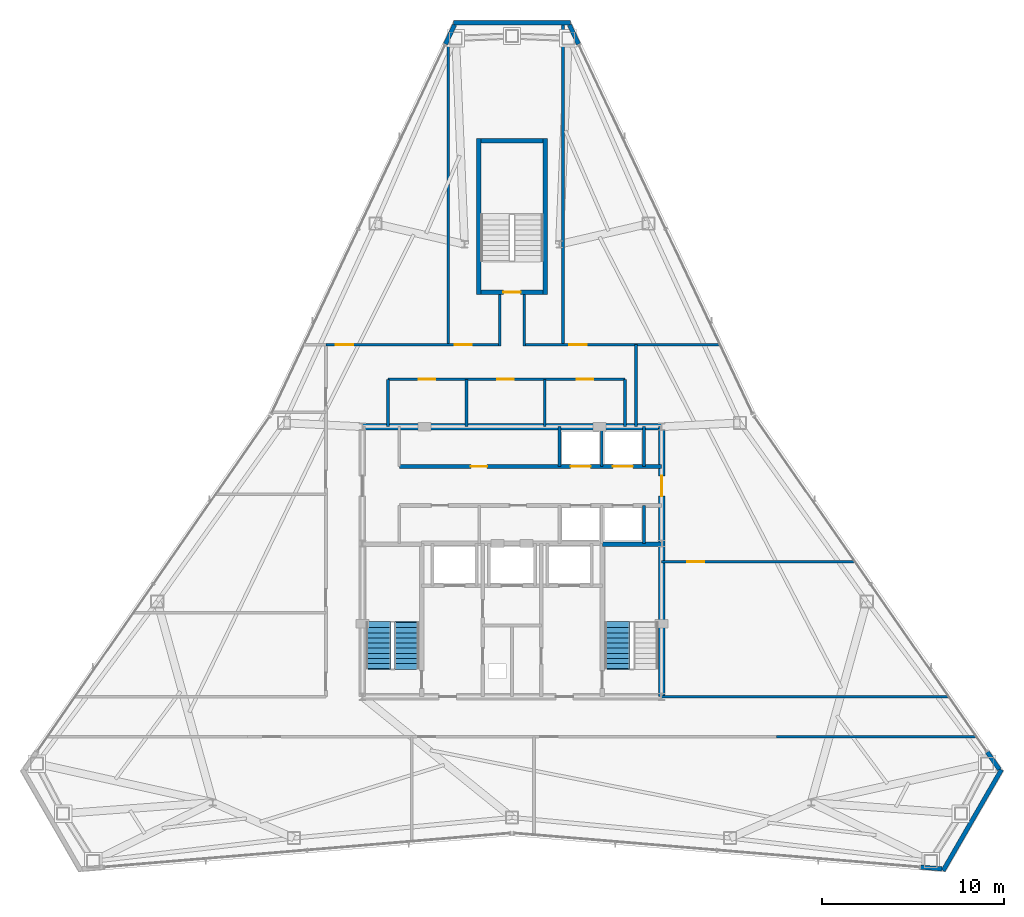
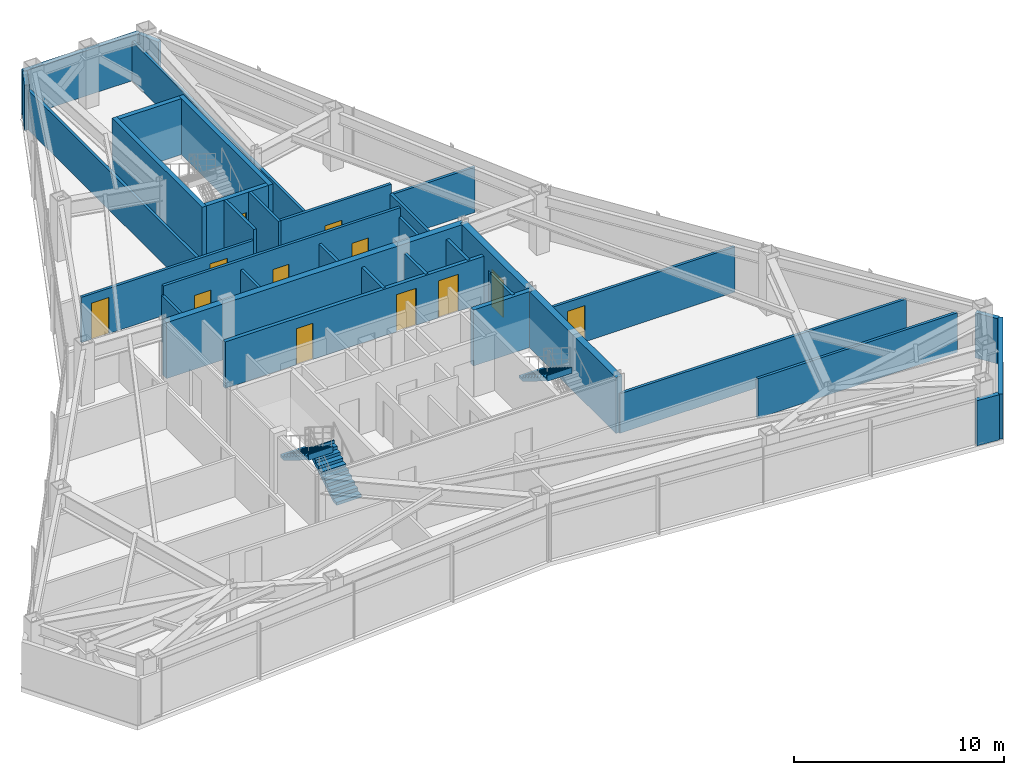
# One storey, part 10 of 12: 34 walls, 12 doors, 3 stair flights, 12 openings, 2 elements without a shape of their own.
"""IFC4 building model written with IfcOpenShell, lengths in metres."""

from ifc_helpers import new_model, si_unit, direction, frame, frame_2d, origin, place, context, subcontext, project, spatial, polyline, rectangle, outline, extrude, material, layer, layer_set, type_object, element, fill, aggregate, save


model = new_model("IFC4")

# Units and contexts
model_context = context("Model", 3, precision=1e-05, world=origin(), true_north=direction((0.0, 1.0)))
body_context = subcontext(model_context, "Body", "Model", "MODEL_VIEW")
ifc_project = project(units=[si_unit("LENGTHUNIT", "METRE"), si_unit("AREAUNIT", "SQUARE_METRE"), si_unit("VOLUMEUNIT", "CUBIC_METRE"), si_unit("PLANEANGLEUNIT", "RADIAN"), si_unit("MASSUNIT", "GRAM", prefix="KILO")], contexts=[model_context])

# Site, building, storey
site_placement = place(None, origin())
site = spatial("IfcSite", under=ifc_project, at=site_placement, CompositionType="ELEMENT")
building_placement = place(site_placement, origin())
building = spatial("IfcBuilding", under=site, at=building_placement, Name="Varakhsha Concourse Tower", CompositionType="ELEMENT")
storey_placement = place(building_placement, frame((0.0, 0.0, 225.89990234375)))
storey = spatial("IfcBuildingStorey", under=building, at=storey_placement, Name="L64", CompositionType="ELEMENT", Elevation=225.89990234375)

# Wall
ifc_material_1 = material(Name="Concrete fc 65 MPa", Category="concrete")
ifc_layer_1 = layer(ifc_material_1, 0.35009765625, Name="WL-CORE-350")
ifc_layer_set_1 = layer_set([ifc_layer_1], Name="Concrete fc 65 MPa")
wall_type_1 = type_object("IfcWallType", Name="WL-CORE-350", PredefinedType="SHEAR", material=ifc_layer_set_1)
wall_1_placement = place(storey_placement, frame((31.800048828125, 31.199951171875, 0.0), z_axis=(0.0, 0.0, 1.0), x_axis=(1.0, 0.0, 0.0)))
element("IfcWall", 1, at=wall_1_placement, inside=storey, type_object=wall_type_1, Name="L64 Wall CWALL-N-L64", PredefinedType="SHEAR", context=body_context, shape_type="SweptSolid", body=[
    extrude(rectangle(XDim=16.39990234375, YDim=0.35009765625, at=frame_2d((8.199951171875, 0.0))), origin(), (0.0, 0.0, 1.0), 3.25),
])

# Wall, opening, door
wall_2_placement = place(storey_placement, frame((48.199951171875, 16.39990234375, 0.0), z_axis=(0.0, 0.0, 1.0), x_axis=(0.0, 1.0, 0.0)))
wall_2 = element("IfcWall", 2, at=wall_2_placement, inside=storey, type_object=wall_type_1, Name="L64 Wall CWALL-E-L64", PredefinedType="SHEAR", context=body_context, shape_type="SweptSolid", body=[
    extrude(rectangle(XDim=14.800048828125, YDim=0.35009765625, at=frame_2d((7.39990234375, 0.0))), origin(), (0.0, 0.0, 1.0), 3.25),
])
opening_1_placement = place(wall_2_placement, frame((11.0, 0.0, 0.0)))
opening_1 = element("IfcOpeningElement", 3, at=opening_1_placement, cuts=wall_2, Name="Opening DL-01", PredefinedType="OPENING", context=body_context, shape_type="SweptSolid", body=[
    extrude(rectangle(XDim=1.10009765625, YDim=2.14990234375, at=frame_2d((0.550048828125, 1.074951171875))), frame((0.0, 0.18505859375, 0.0), z_axis=(0.0, -1.0, 0.0), x_axis=(1.0, 0.0, 0.0)), (0.0, 0.0, 1.0), 0.3701171875),
])
ifc_material_2 = material(Name="Anodised Bronze Architectural Aluminium AA 6063-T6", Category="aluminium")
door_type_1 = type_object("IfcDoorType", Name="DR-LOB-1100", OperationType="NOTDEFINED", PredefinedType="DOOR", material=ifc_material_2)
door_1_placement = place(opening_1_placement, origin())
door_1 = element("IfcDoor", 4, at=door_1_placement, inside=storey, type_object=door_type_1, Name="L64 Lift Lobby East Concourse Door", OperationType="SINGLE_SWING_RIGHT", OverallHeight=2.14990234375, OverallWidth=1.10009765625, PredefinedType="DOOR", context=body_context, shape_type="SweptSolid", body=[
    extrude(rectangle(XDim=1.10009765625, YDim=2.14990234375, at=frame_2d((0.550048828125, 1.074951171875))), frame((0.0, 0.02490234375, 0.0), z_axis=(0.0, -1.0, 0.0), x_axis=(1.0, 0.0, 0.0)), (0.0, 0.0, 1.0), 0.050048828125),
])
fill(opening_1, door_1)

# Walls
ifc_material_3 = material(Name="Concrete fc 45 MPa", Category="concrete")
ifc_layer_2 = layer(ifc_material_3, 0.239990234375, Name="WL-EXT-CRN-240")
ifc_layer_set_2 = layer_set([ifc_layer_2], Name="Concrete fc 45 MPa")
wall_type_2 = type_object("IfcWallType", Name="WL-EXT-CRN-240", PredefinedType="SHEAR", material=ifc_layer_set_2)
wall_3_placement = place(storey_placement, frame((36.800048828125, 53.33740234375, 0.0), z_axis=(0.0, 0.0, 1.0), x_axis=(1.0, 0.0, 0.0)))
element("IfcWall", 5, at=wall_3_placement, inside=storey, type_object=wall_type_2, Name="L64 Chamfer Wind-Corner Insulated Wall F1", PredefinedType="SHEAR", context=body_context, shape_type="SweptSolid", body=[
    extrude(rectangle(XDim=6.39990234375, YDim=0.239990234375, at=frame_2d((3.199951171875, 0.0))), origin(), (0.0, 0.0, 1.0), 2.623046875),
])
for number, where, z_axis, x_axis, name in (
    (6, (36.85107421875, 53.230224609375, 0.0), (0.0, 0.0, 1.0), (-0.426179687599, -0.904638532165, 0.0), "L64 Wind-Corner Shoulder Wall F2"),
    (7, (62.403076171875, 7.054931640625, 0.0), (0.0, 0.0, 1.0), (0.99652987462, -0.083235863609, 0.0), "L64 Wind-Corner Shoulder Wall F6"),
):
    element("IfcWall", number, at=place(storey_placement, frame(where, z_axis=z_axis, x_axis=x_axis)), inside=storey, type_object=wall_type_2, Name=name, PredefinedType="SHEAR", context=body_context, shape_type="SweptSolid", body=[
        extrude(rectangle(XDim=1.16748046875, YDim=0.239990234375, at=frame_2d((0.583740234375, 0.0))), origin(), (0.0, 0.0, 1.0), 2.623046875),
    ])
wall_4_placement = place(storey_placement, frame((66.833740234375, 12.402587890625, 0.0), z_axis=(0.0, 0.0, 1.0), x_axis=(-0.499999833739, -0.866025499775, 0.0)))
element("IfcWall", 8, at=wall_4_placement, inside=storey, type_object=wall_type_2, Name="L64 Chamfer Wind-Corner Insulated Wall F7", PredefinedType="SHEAR", context=body_context, shape_type="SweptSolid", body=[
    extrude(rectangle(XDim=6.39990234375, YDim=0.239990234375, at=frame_2d((3.199951171875, 0.0))), origin(), (0.0, 0.0, 1.0), 2.623046875),
])
for number, where, z_axis, x_axis, name in (
    (9, (66.71533203125, 12.412109375, 0.0), (0.0, 0.0, 1.0), (-0.57028607051, 0.821446162437, 0.0), "L64 Wind-Corner Shoulder Wall F8"),
    (10, (43.646484375, 52.174072265625, 0.0), (0.0, 0.0, 1.0), (-0.426179687599, 0.904638532165, 0.0), "L64 Wind-Corner Shoulder Wall F9"),
):
    element("IfcWall", number, at=place(storey_placement, frame(where, z_axis=z_axis, x_axis=x_axis)), inside=storey, type_object=wall_type_2, Name=name, PredefinedType="SHEAR", context=body_context, shape_type="SweptSolid", body=[
        extrude(rectangle(XDim=1.16748046875, YDim=0.239990234375, at=frame_2d((0.583740234375, 0.0))), origin(), (0.0, 0.0, 1.0), 2.623046875),
    ])

# Wall, openings, doors
ifc_material_4 = material(Name="Fire-Rated Type X Gypsum Partition Assembly", Category="gypsum")
ifc_layer_3 = layer(ifc_material_4, 0.14990234375, Name="WL-PART-150")
ifc_layer_set_3 = layer_set([ifc_layer_3], Name="Fire-Rated Type X Gypsum Partition Assembly")
wall_type_3 = type_object("IfcWallType", Name="WL-PART-150", PredefinedType="PARTITIONING", material=ifc_layer_set_3)
wall_5_placement = place(storey_placement, frame((33.199951171875, 33.800048828125, 0.0), z_axis=(0.0, 0.0, 1.0), x_axis=(1.0, 0.0, 0.0)))
wall_5 = element("IfcWall", 11, at=wall_5_placement, inside=storey, type_object=wall_type_3, Name="L64 Wall NBOH-N-L64", PredefinedType="PARTITIONING", context=body_context, shape_type="SweptSolid", body=[
    extrude(rectangle(XDim=13.0, YDim=0.14990234375, at=frame_2d((6.5, 0.0))), origin(), (0.0, 0.0, 1.0), 3.25),
])
opening_2_placement = place(wall_5_placement, frame((1.699951171875, 0.0, 0.0)))
opening_2 = element("IfcOpeningElement", 12, at=opening_2_placement, cuts=wall_5, Name="Opening DF-06", PredefinedType="OPENING", context=body_context, shape_type="SweptSolid", body=[
    extrude(rectangle(XDim=0.89990234375, YDim=2.10009765625, at=frame_2d((0.449951171875, 1.050048828125))), frame((0.0, 0.0849609375, 0.0), z_axis=(0.0, -1.0, 0.0), x_axis=(1.0, 0.0, 0.0)), (0.0, 0.0, 1.0), 0.169921875),
])
opening_3_placement = place(wall_5_placement, frame((6.0, 0.0, 0.0)))
opening_3 = element("IfcOpeningElement", 13, at=opening_3_placement, cuts=wall_5, Name="Opening DF-06", PredefinedType="OPENING", context=body_context, shape_type="SweptSolid", body=[
    extrude(rectangle(XDim=0.89990234375, YDim=2.10009765625, at=frame_2d((0.449951171875, 1.050048828125))), frame((0.0, 0.0849609375, 0.0), z_axis=(0.0, -1.0, 0.0), x_axis=(1.0, 0.0, 0.0)), (0.0, 0.0, 1.0), 0.169921875),
])
opening_4_placement = place(wall_5_placement, frame((10.35009765625, 0.0, 0.0)))
opening_4 = element("IfcOpeningElement", 14, at=opening_4_placement, cuts=wall_5, Name="Opening DF-06", PredefinedType="OPENING", context=body_context, shape_type="SweptSolid", body=[
    extrude(rectangle(XDim=0.89990234375, YDim=2.10009765625, at=frame_2d((0.449951171875, 1.050048828125))), frame((0.0, 0.0849609375, 0.0), z_axis=(0.0, -1.0, 0.0), x_axis=(1.0, 0.0, 0.0)), (0.0, 0.0, 1.0), 0.169921875),
])
ifc_material_5 = material(Name="Hollow Galvanised Steel Fire Door Assembly", Category="steel")
door_type_2 = type_object("IfcDoorType", Name="DR-FD60-900", OperationType="NOTDEFINED", PredefinedType="DOOR", material=ifc_material_5)
door_2_placement = place(opening_2_placement, origin())
door_2 = element("IfcDoor", 15, at=door_2_placement, inside=storey, type_object=door_type_2, Name="L64 Men Restroom WC Door", OperationType="SINGLE_SWING_LEFT", OverallHeight=2.10009765625, OverallWidth=0.89990234375, PredefinedType="DOOR", context=body_context, shape_type="SweptSolid", body=[
    extrude(rectangle(XDim=0.89990234375, YDim=2.10009765625, at=frame_2d((0.449951171875, 1.050048828125))), frame((0.0, 0.02490234375, 0.0), z_axis=(0.0, -1.0, 0.0), x_axis=(1.0, 0.0, 0.0)), (0.0, 0.0, 1.0), 0.050048828125),
])
fill(opening_2, door_2)
door_3_placement = place(opening_3_placement, origin())
door_3 = element("IfcDoor", 16, at=door_3_placement, inside=storey, type_object=door_type_2, Name="L64 Women Restroom WC Door", OperationType="SINGLE_SWING_RIGHT", OverallHeight=2.10009765625, OverallWidth=0.89990234375, PredefinedType="DOOR", context=body_context, shape_type="SweptSolid", body=[
    extrude(rectangle(XDim=0.89990234375, YDim=2.10009765625, at=frame_2d((0.449951171875, 1.050048828125))), frame((0.0, 0.02490234375, 0.0), z_axis=(0.0, -1.0, 0.0), x_axis=(1.0, 0.0, 0.0)), (0.0, 0.0, 1.0), 0.050048828125),
])
fill(opening_3, door_3)
door_4_placement = place(opening_4_placement, origin())
door_4 = element("IfcDoor", 17, at=door_4_placement, inside=storey, type_object=door_type_2, Name="L64 Accessible WC Door", OperationType="SINGLE_SWING_LEFT", OverallHeight=2.10009765625, OverallWidth=0.89990234375, PredefinedType="DOOR", context=body_context, shape_type="SweptSolid", body=[
    extrude(rectangle(XDim=0.89990234375, YDim=2.10009765625, at=frame_2d((0.449951171875, 1.050048828125))), frame((0.0, 0.02490234375, 0.0), z_axis=(0.0, -1.0, 0.0), x_axis=(1.0, 0.0, 0.0)), (0.0, 0.0, 1.0), 0.050048828125),
])
fill(opening_4, door_4)

# Walls
for number, where, z_axis, x_axis, name in (
    (18, (33.199951171875, 31.199951171875, 0.0), (0.0, 0.0, 1.0), (0.0, 1.0, 0.0), "L64 Wall NBOH-W-L64"),
    (19, (46.199951171875, 31.199951171875, 0.0), (0.0, 0.0, 1.0), (0.0, 1.0, 0.0), "L64 Wall NBOH-E-L64"),
    (20, (37.5, 31.199951171875, 0.0), (0.0, 0.0, 1.0), (0.0, 1.0, 0.0), "L64 Wall NBOH-D1-L64"),
    (21, (41.800048828125, 31.199951171875, 0.0), (0.0, 0.0, 1.0), (0.0, 1.0, 0.0), "L64 Wall NBOH-D2-L64"),
):
    element("IfcWall", number, at=place(storey_placement, frame(where, z_axis=z_axis, x_axis=x_axis)), inside=storey, type_object=wall_type_3, Name=name, PredefinedType="PARTITIONING", context=body_context, shape_type="SweptSolid", body=[
        extrude(rectangle(XDim=2.60009765625, YDim=0.14990234375, at=frame_2d((1.300048828125, 0.0))), origin(), (0.0, 0.0, 1.0), 2.705078125),
    ])
wall_6_placement = place(storey_placement, frame((54.5, 14.199951171875, 0.0), z_axis=(0.0, 0.0, 1.0), x_axis=(1.0, 0.0, 0.0)))
element("IfcWall", 22, at=wall_6_placement, inside=storey, type_object=wall_type_3, Name="L64 Wall CRW-SGAL-SE-L64", PredefinedType="PARTITIONING", context=body_context, shape_type="SweptSolid", body=[
    extrude(rectangle(XDim=10.9677734375, YDim=0.14990234375, at=frame_2d((5.48388671875, 0.0))), origin(), (0.0, 0.0, 1.0), 2.2919921875),
])
wall_7_placement = place(storey_placement, frame((48.199951171875, 16.39990234375, 0.0), z_axis=(0.0, 0.0, 1.0), x_axis=(1.0, 0.0, 0.0)))
element("IfcWall", 23, at=wall_7_placement, inside=storey, type_object=wall_type_3, Name="L64 Wall CRW-SGAL-NE-L64", PredefinedType="PARTITIONING", context=body_context, shape_type="SweptSolid", body=[
    extrude(rectangle(XDim=15.740234375, YDim=0.14990234375, at=frame_2d((7.8701171875, 0.0))), origin(), (0.0, 0.0, 1.0), 2.2919921875),
])

# Wall, openings, doors
wall_8_placement = place(storey_placement, frame((29.800048828125, 35.699951171875, 0.0), z_axis=(0.0, 0.0, 1.0), x_axis=(1.0, 0.0, 0.0)))
wall_8 = element("IfcWall", 24, at=wall_8_placement, inside=storey, type_object=wall_type_3, Name="L64 Wall CRW-N-L64", PredefinedType="PARTITIONING", context=body_context, shape_type="SweptSolid", body=[
    extrude(rectangle(XDim=9.449951171875, YDim=0.14990234375, at=frame_2d((4.72509765625, 0.0))), origin(), (0.0, 0.0, 1.0), 2.628173828125),
])
opening_5_placement = place(wall_8_placement, frame((0.550048828125, 0.0, 0.0)))
opening_5 = element("IfcOpeningElement", 25, at=opening_5_placement, cuts=wall_8, Name="Opening DF-05", PredefinedType="OPENING", context=body_context, shape_type="SweptSolid", body=[
    extrude(rectangle(XDim=0.949951171875, YDim=2.10009765625, at=frame_2d((0.47509765625, 1.050048828125))), frame((0.0, 0.0849609375, 0.0), z_axis=(0.0, -1.0, 0.0), x_axis=(1.0, 0.0, 0.0)), (0.0, 0.0, 1.0), 0.169921875),
])
opening_6_placement = place(wall_8_placement, frame((7.050048828125, 0.0, 0.0)))
opening_6 = element("IfcOpeningElement", 26, at=opening_6_placement, cuts=wall_8, Name="Opening DF-05", PredefinedType="OPENING", context=body_context, shape_type="SweptSolid", body=[
    extrude(rectangle(XDim=0.949951171875, YDim=2.10009765625, at=frame_2d((0.47509765625, 1.050048828125))), frame((0.0, 0.0849609375, 0.0), z_axis=(0.0, -1.0, 0.0), x_axis=(1.0, 0.0, 0.0)), (0.0, 0.0, 1.0), 0.169921875),
])
door_type_3 = type_object("IfcDoorType", Name="DR-FD60-950", OperationType="NOTDEFINED", PredefinedType="DOOR", material=ifc_material_5)
door_5_placement = place(opening_5_placement, origin())
door_5 = element("IfcDoor", 27, at=door_5_placement, inside=storey, type_object=door_type_3, Name="L64 Mountain View Project Pitch Room L64-N1 Door", OperationType="SINGLE_SWING_RIGHT", OverallHeight=2.10009765625, OverallWidth=0.949951171875, PredefinedType="DOOR", context=body_context, shape_type="SweptSolid", body=[
    extrude(rectangle(XDim=0.949951171875, YDim=2.10009765625, at=frame_2d((0.47509765625, 1.050048828125))), frame((0.0, 0.02490234375, 0.0), z_axis=(0.0, -1.0, 0.0), x_axis=(1.0, 0.0, 0.0)), (0.0, 0.0, 1.0), 0.050048828125),
])
fill(opening_5, door_5)
door_6_placement = place(opening_6_placement, origin())
door_6 = element("IfcDoor", 28, at=door_6_placement, inside=storey, type_object=door_type_3, Name="L64 North Hot-Desk Studio Neighborhood L64-N2 Door", OperationType="SINGLE_SWING_LEFT", OverallHeight=2.10009765625, OverallWidth=0.949951171875, PredefinedType="DOOR", context=body_context, shape_type="SweptSolid", body=[
    extrude(rectangle(XDim=0.949951171875, YDim=2.10009765625, at=frame_2d((0.47509765625, 1.050048828125))), frame((0.0, 0.02490234375, 0.0), z_axis=(0.0, -1.0, 0.0), x_axis=(1.0, 0.0, 0.0)), (0.0, 0.0, 1.0), 0.050048828125),
])
fill(opening_6, door_6)

# Wall, opening, door
wall_9_placement = place(storey_placement, frame((40.75, 35.699951171875, 0.0), z_axis=(0.0, 0.0, 1.0), x_axis=(1.0, 0.0, 0.0)))
wall_9 = element("IfcWall", 29, at=wall_9_placement, inside=storey, type_object=wall_type_3, Name="L64 Wall CRW-N-L64-B", PredefinedType="PARTITIONING", context=body_context, shape_type="SweptSolid", body=[
    extrude(rectangle(XDim=6.050048828125, YDim=0.14990234375, at=frame_2d((3.02490234375, 0.0))), origin(), (0.0, 0.0, 1.0), 3.25),
])
opening_7_placement = place(wall_9_placement, frame((2.39990234375, 0.0, 0.0)))
opening_7 = element("IfcOpeningElement", 30, at=opening_7_placement, cuts=wall_9, Name="Opening DF-05", PredefinedType="OPENING", context=body_context, shape_type="SweptSolid", body=[
    extrude(rectangle(XDim=0.949951171875, YDim=2.10009765625, at=frame_2d((0.47509765625, 1.050048828125))), frame((0.0, 0.0849609375, 0.0), z_axis=(0.0, -1.0, 0.0), x_axis=(1.0, 0.0, 0.0)), (0.0, 0.0, 1.0), 0.169921875),
])
door_7_placement = place(opening_7_placement, origin())
door_7 = element("IfcDoor", 31, at=door_7_placement, inside=storey, type_object=door_type_3, Name="L64 North Hot-Desk Studio Neighborhood L64-N3 Door", OperationType="SINGLE_SWING_RIGHT", OverallHeight=2.10009765625, OverallWidth=0.949951171875, PredefinedType="DOOR", context=body_context, shape_type="SweptSolid", body=[
    extrude(rectangle(XDim=0.949951171875, YDim=2.10009765625, at=frame_2d((0.47509765625, 1.050048828125))), frame((0.0, 0.02490234375, 0.0), z_axis=(0.0, -1.0, 0.0), x_axis=(1.0, 0.0, 0.0)), (0.0, 0.0, 1.0), 0.050048828125),
])
fill(opening_7, door_7)

# Walls
wall_10_placement = place(storey_placement, frame((46.800048828125, 31.199951171875, 0.0), z_axis=(0.0, 0.0, 1.0), x_axis=(0.0, 1.0, 0.0)))
element("IfcWall", 32, at=wall_10_placement, inside=storey, type_object=wall_type_3, Name="L64 Wall CRW-NE-L64", PredefinedType="PARTITIONING", context=body_context, shape_type="SweptSolid", body=[
    extrude(rectangle(XDim=4.5, YDim=0.14990234375, at=frame_2d((2.25, 0.0))), origin(), (0.0, 0.0, 1.0), 2.705078125),
])
wall_11_placement = place(storey_placement, frame((46.800048828125, 35.699951171875, 0.0), z_axis=(0.0, 0.0, 1.0), x_axis=(1.0, 0.0, 0.0)))
element("IfcWall", 33, at=wall_11_placement, inside=storey, type_object=wall_type_3, Name="L64 Wall ODIV-EBN-L64", PredefinedType="PARTITIONING", context=body_context, shape_type="SweptSolid", body=[
    extrude(rectangle(XDim=4.601806640625, YDim=0.14990234375, at=frame_2d((2.30078125, 0.0))), origin(), (0.0, 0.0, 1.0), 2.628173828125),
])

# Wall, opening, door
wall_12_placement = place(storey_placement, frame((48.199951171875, 23.800048828125, 0.0), z_axis=(0.0, 0.0, 1.0), x_axis=(1.0, 0.0, 0.0)))
wall_12 = element("IfcWall", 34, at=wall_12_placement, inside=storey, type_object=wall_type_3, Name="L64 Wall ODIV-E1-L64", PredefinedType="PARTITIONING", context=body_context, shape_type="SweptSolid", body=[
    extrude(rectangle(XDim=10.601806640625, YDim=0.14990234375, at=frame_2d((5.30078125, 0.0))), origin(), (0.0, 0.0, 1.0), 2.628173828125),
])
opening_8_placement = place(wall_12_placement, frame((1.39990234375, 0.0, 0.0)))
opening_8 = element("IfcOpeningElement", 35, at=opening_8_placement, cuts=wall_12, Name="Opening DF-05", PredefinedType="OPENING", context=body_context, shape_type="SweptSolid", body=[
    extrude(rectangle(XDim=0.949951171875, YDim=2.10009765625, at=frame_2d((0.47509765625, 1.050048828125))), frame((0.0, 0.0849609375, 0.0), z_axis=(0.0, -1.0, 0.0), x_axis=(1.0, 0.0, 0.0)), (0.0, 0.0, 1.0), 0.169921875),
])
door_8_placement = place(opening_8_placement, origin())
door_8 = element("IfcDoor", 36, at=door_8_placement, inside=storey, type_object=door_type_3, Name="L64 East Suite Interconnect Door 1", OperationType="SINGLE_SWING_LEFT", OverallHeight=2.10009765625, OverallWidth=0.949951171875, PredefinedType="DOOR", context=body_context, shape_type="SweptSolid", body=[
    extrude(rectangle(XDim=0.949951171875, YDim=2.10009765625, at=frame_2d((0.47509765625, 1.050048828125))), frame((0.0, 0.02490234375, 0.0), z_axis=(0.0, -1.0, 0.0), x_axis=(1.0, 0.0, 0.0)), (0.0, 0.0, 1.0), 0.050048828125),
])
fill(opening_8, door_8)

# Walls
wall_13_placement = place(storey_placement, frame((36.5, 35.699951171875, 0.0), z_axis=(0.0, 0.0, 1.0), x_axis=(0.0, 1.0, 0.0)))
element("IfcWall", 37, at=wall_13_placement, inside=storey, type_object=wall_type_3, Name="L64 Wall ODIV-N1-L64", PredefinedType="PARTITIONING", context=body_context, shape_type="SweptSolid", body=[
    extrude(rectangle(XDim=16.7734375, YDim=0.14990234375, at=frame_2d((8.38671875, 0.0))), origin(), (0.0, 0.0, 1.0), 2.2919921875),
])
wall_14_placement = place(storey_placement, frame((42.800048828125, 35.699951171875, 0.0), z_axis=(0.0, 0.0, 1.0), x_axis=(0.0, 1.0, 0.0)))
element("IfcWall", 38, at=wall_14_placement, inside=storey, type_object=wall_type_3, Name="L64 Wall ODIV-N2-L64", PredefinedType="PARTITIONING", context=body_context, shape_type="SweptSolid", body=[
    extrude(rectangle(XDim=17.632568359375, YDim=0.14990234375, at=frame_2d((8.81640625, 0.0))), origin(), (0.0, 0.0, 1.0), 2.2919921875),
])
for number, where, z_axis, x_axis, name in (
    (39, (39.324951171875, 35.625, 0.0), (0.0, 0.0, 1.0), (0.0, 1.0, 0.0), "L64 Wall STUB-W-L64"),
    (40, (40.675048828125, 35.625, 0.0), (0.0, 0.0, 1.0), (0.0, 1.0, 0.0), "L64 Wall STUB-E-L64"),
):
    element("IfcWall", number, at=place(storey_placement, frame(where, z_axis=z_axis, x_axis=x_axis)), inside=storey, type_object=wall_type_3, Name=name, PredefinedType="PARTITIONING", context=body_context, shape_type="SweptSolid", body=[
        extrude(rectangle(XDim=2.824951171875, YDim=0.14990234375, at=frame_2d((1.41259765625, 0.0))), origin(), (0.0, 0.0, 1.0), 3.25),
    ])

# Wall, openings, doors
ifc_layer_4 = layer(ifc_material_4, 0.199951171875, Name="WL-SHAFT-220")
ifc_layer_set_4 = layer_set([ifc_layer_4], Name="Fire-Rated Type X Gypsum Partition Assembly")
wall_type_4 = type_object("IfcWallType", Name="WL-SHAFT-220", PredefinedType="SOLIDWALL", material=ifc_layer_set_4)
wall_15_placement = place(storey_placement, frame((33.820068359375, 29.02001953125, 0.0), z_axis=(0.0, 0.0, 1.0), x_axis=(1.0, 0.0, 0.0)))
wall_15 = element("IfcWall", 41, at=wall_15_placement, inside=storey, type_object=wall_type_4, Name="L64 Wall PLW-N-L64", PredefinedType="SOLIDWALL", context=body_context, shape_type="SweptSolid", body=[
    extrude(rectangle(XDim=14.3798828125, YDim=0.199951171875, at=frame_2d((7.18994140625, 0.0))), origin(), (0.0, 0.0, 1.0), 2.705078125),
])
opening_9_placement = place(wall_15_placement, frame((3.919921875, 0.0, 0.0)))
opening_9 = element("IfcOpeningElement", 42, at=opening_9_placement, cuts=wall_15, Name="Opening DF-06", PredefinedType="OPENING", context=body_context, shape_type="SweptSolid", body=[
    extrude(rectangle(XDim=0.89990234375, YDim=2.10009765625, at=frame_2d((0.449951171875, 1.050048828125))), frame((0.0, 0.10986328125, 0.0), z_axis=(0.0, -1.0, 0.0), x_axis=(1.0, 0.0, 0.0)), (0.0, 0.0, 1.0), 0.219970703125),
])
opening_10_placement = place(wall_15_placement, frame((9.389892578125, 0.0, 0.0)))
opening_10 = element("IfcOpeningElement", 43, at=opening_10_placement, cuts=wall_15, Name="Opening LD-LF-P09", PredefinedType="OPENING", context=body_context, shape_type="SweptSolid", body=[
    extrude(rectangle(XDim=1.10009765625, YDim=2.14990234375, at=frame_2d((0.550048828125, 1.074951171875))), frame((0.0, 0.10986328125, 0.0), z_axis=(0.0, -1.0, 0.0), x_axis=(1.0, 0.0, 0.0)), (0.0, 0.0, 1.0), 0.219970703125),
])
opening_11_placement = place(wall_15_placement, frame((11.7099609375, 0.0, 0.0)))
opening_11 = element("IfcOpeningElement", 44, at=opening_11_placement, cuts=wall_15, Name="Opening LD-LF-P10", PredefinedType="OPENING", context=body_context, shape_type="SweptSolid", body=[
    extrude(rectangle(XDim=1.10009765625, YDim=2.14990234375, at=frame_2d((0.550048828125, 1.074951171875))), frame((0.0, 0.10986328125, 0.0), z_axis=(0.0, -1.0, 0.0), x_axis=(1.0, 0.0, 0.0)), (0.0, 0.0, 1.0), 0.219970703125),
])
door_9_placement = place(opening_9_placement, origin())
door_9 = element("IfcDoor", 45, at=door_9_placement, inside=storey, type_object=door_type_2, Name="L64 Tenant Archive and IT Server Room Door", OperationType="SINGLE_SWING_LEFT", OverallHeight=2.10009765625, OverallWidth=0.89990234375, PredefinedType="DOOR", context=body_context, shape_type="SweptSolid", body=[
    extrude(rectangle(XDim=0.89990234375, YDim=2.10009765625, at=frame_2d((0.449951171875, 1.050048828125))), frame((0.0, 0.02490234375, 0.0), z_axis=(0.0, -1.0, 0.0), x_axis=(1.0, 0.0, 0.0)), (0.0, 0.0, 1.0), 0.050048828125),
])
fill(opening_9, door_9)
ifc_material_6 = material(Name="Brushed Austenitic Stainless Steel AISI 316", Category="steel")
door_type_4 = type_object("IfcDoorType", Name="DR-LD-1100", OperationType="DOUBLE_DOOR_SLIDING", PredefinedType="DOOR", material=ifc_material_6)
door_10_placement = place(opening_10_placement, origin())
door_10 = element("IfcDoor", 46, at=door_10_placement, inside=storey, type_object=door_type_4, Name="Lift Landing Door LF-P09 L64", OperationType="DOUBLE_DOOR_SLIDING", OverallHeight=2.14990234375, OverallWidth=1.10009765625, PredefinedType="DOOR", context=body_context, shape_type="SweptSolid", body=[
    extrude(rectangle(XDim=1.10009765625, YDim=2.14990234375, at=frame_2d((0.550048828125, 1.074951171875))), frame((0.0, 0.02490234375, 0.0), z_axis=(0.0, -1.0, 0.0), x_axis=(1.0, 0.0, 0.0)), (0.0, 0.0, 1.0), 0.050048828125),
])
fill(opening_10, door_10)
door_11_placement = place(opening_11_placement, origin())
door_11 = element("IfcDoor", 47, at=door_11_placement, inside=storey, type_object=door_type_4, Name="Lift Landing Door LF-P10 L64", OperationType="DOUBLE_DOOR_SLIDING", OverallHeight=2.14990234375, OverallWidth=1.10009765625, PredefinedType="DOOR", context=body_context, shape_type="SweptSolid", body=[
    extrude(rectangle(XDim=1.10009765625, YDim=2.14990234375, at=frame_2d((0.550048828125, 1.074951171875))), frame((0.0, 0.02490234375, 0.0), z_axis=(0.0, -1.0, 0.0), x_axis=(1.0, 0.0, 0.0)), (0.0, 0.0, 1.0), 0.050048828125),
])
fill(opening_11, door_11)

# Walls
for number, where, z_axis, x_axis, name in (
    (48, (42.60009765625, 29.02001953125, 0.0), (0.0, 0.0, 1.0), (0.0, 1.0, 0.0), "L64 Wall SHW-LF-P09-W-L64"),
    (49, (44.919921875, 29.02001953125, 0.0), (0.0, 0.0, 1.0), (0.0, 1.0, 0.0), "L64 Wall SHW-LF-P09-E-L64"),
    (50, (47.239990234375, 29.02001953125, 0.0), (0.0, 0.0, 1.0), (0.0, 1.0, 0.0), "L64 Wall SHW-LF-P10-E-L64"),
):
    element("IfcWall", number, at=place(storey_placement, frame(where, z_axis=z_axis, x_axis=x_axis)), inside=storey, type_object=wall_type_4, Name=name, PredefinedType="SOLIDWALL", context=body_context, shape_type="SweptSolid", body=[
        extrude(rectangle(XDim=2.179931640625, YDim=0.159912109375, at=frame_2d((1.08984375, 0.0))), origin(), (0.0, 0.0, 1.0), 2.705078125),
    ])
wall_16_placement = place(storey_placement, frame((47.239990234375, 24.800048828125, 0.0), z_axis=(0.0, 0.0, 1.0), x_axis=(0.0, 1.0, 0.0)))
element("IfcWall", 51, at=wall_16_placement, inside=storey, type_object=wall_type_4, Name="L64 Wall SHW-LF-P12-E-L64", PredefinedType="SOLIDWALL", context=body_context, shape_type="SweptSolid", body=[
    extrude(rectangle(XDim=2.079833984375, YDim=0.159912109375, at=frame_2d((1.0400390625, 0.0))), origin(), (0.0, 0.0, 1.0), 3.25),
])
ifc_layer_5 = layer(ifc_material_3, 0.25, Name="WL-STAIR-250")
ifc_layer_set_5 = layer_set([ifc_layer_5], Name="Concrete fc 45 MPa")
wall_type_5 = type_object("IfcWallType", Name="WL-STAIR-250", PredefinedType="SHEAR", material=ifc_layer_set_5)
wall_17_placement = place(storey_placement, frame((44.955078125, 24.7548828125, 0.0), z_axis=(0.0, 0.0, 1.0), x_axis=(1.0, 0.0, 0.0)))
element("IfcWall", 52, at=wall_17_placement, inside=storey, type_object=wall_type_5, Name="L64 Wall SWALL-ST2-N-L64", PredefinedType="SHEAR", context=body_context, shape_type="SweptSolid", body=[
    extrude(rectangle(XDim=3.244873046875, YDim=0.25, at=frame_2d((1.62255859375, 0.0))), origin(), (0.0, 0.0, 1.0), 3.25),
])
for number, where, z_axis, x_axis, name in (
    (53, (38.175048828125, 38.449951171875, 0.0), (0.0, 0.0, 1.0), (0.0, 1.0, 0.0), "L64 Wall SWALL-ST5-W-L64"),
    (54, (41.824951171875, 38.449951171875, 0.0), (0.0, 0.0, 1.0), (0.0, 1.0, 0.0), "L64 Wall SWALL-ST5-E-L64"),
):
    element("IfcWall", number, at=place(storey_placement, frame(where, z_axis=z_axis, x_axis=x_axis)), inside=storey, type_object=wall_type_5, Name=name, PredefinedType="SHEAR", context=body_context, shape_type="SweptSolid", body=[
        extrude(rectangle(XDim=8.550048828125, YDim=0.25, at=frame_2d((4.27490234375, 0.0))), origin(), (0.0, 0.0, 1.0), 3.25),
    ])

# Wall, opening, door
wall_18_placement = place(storey_placement, frame((38.300048828125, 38.574951171875, 0.0), z_axis=(0.0, 0.0, 1.0), x_axis=(1.0, 0.0, 0.0)))
wall_18 = element("IfcWall", 55, at=wall_18_placement, inside=storey, type_object=wall_type_5, Name="L64 Wall SWALL-ST5-S-L64", PredefinedType="SHEAR", context=body_context, shape_type="SweptSolid", body=[
    extrude(rectangle(XDim=3.39990234375, YDim=0.25, at=frame_2d((1.699951171875, 0.0))), origin(), (0.0, 0.0, 1.0), 3.25),
])
opening_12_placement = place(wall_18_placement, frame((1.22509765625, 0.0, 0.0)))
opening_12 = element("IfcOpeningElement", 56, at=opening_12_placement, cuts=wall_18, Name="Opening DF-03", PredefinedType="OPENING", context=body_context, shape_type="SweptSolid", body=[
    extrude(rectangle(XDim=0.949951171875, YDim=2.10009765625, at=frame_2d((0.47509765625, 1.050048828125))), frame((0.0, 0.135009765625, 0.0), z_axis=(0.0, -1.0, 0.0), x_axis=(1.0, 0.0, 0.0)), (0.0, 0.0, 1.0), 0.27001953125),
])
door_type_5 = type_object("IfcDoorType", Name="DR-FD90-950", OperationType="NOTDEFINED", PredefinedType="DOOR", material=ifc_material_5)
door_12_placement = place(opening_12_placement, origin())
door_12 = element("IfcDoor", 57, at=door_12_placement, inside=storey, type_object=door_type_5, Name="L64 Stair ST5 Fire Door", OperationType="SINGLE_SWING_RIGHT", OverallHeight=2.10009765625, OverallWidth=0.949951171875, PredefinedType="DOOR", context=body_context, shape_type="SweptSolid", body=[
    extrude(rectangle(XDim=0.949951171875, YDim=2.10009765625, at=frame_2d((0.47509765625, 1.050048828125))), frame((0.0, 0.02490234375, 0.0), z_axis=(0.0, -1.0, 0.0), x_axis=(1.0, 0.0, 0.0)), (0.0, 0.0, 1.0), 0.050048828125),
])
fill(opening_12, door_12)

# Wall
wall_19_placement = place(storey_placement, frame((38.300048828125, 46.875, 0.0), z_axis=(0.0, 0.0, 1.0), x_axis=(1.0, 0.0, 0.0)))
element("IfcWall", 58, at=wall_19_placement, inside=storey, type_object=wall_type_5, Name="L64 Wall SWALL-ST5-N-L64", PredefinedType="SHEAR", context=body_context, shape_type="SweptSolid", body=[
    extrude(rectangle(XDim=3.39990234375, YDim=0.25, at=frame_2d((1.699951171875, 0.0))), origin(), (0.0, 0.0, 1.0), 3.25),
])

# Stair, stair flights
stair_type = type_object("IfcStairType", Name="ST-DOGLEG-1360", PredefinedType="HALF_TURN_STAIR", material=ifc_material_3)
stair_1_placement = place(storey_placement, origin())
stair_1 = element("IfcStair", 59, at=stair_1_placement, inside=storey, type_object=stair_type, Name="L64 Protected Exit Stair ST1", PredefinedType="HALF_TURN_STAIR")
stair_flight_type = type_object("IfcStairFlightType", Name="STF-1360-R1750", PredefinedType="STRAIGHT", material=ifc_material_3)
stair_flight_1_placement = place(storey_placement, frame((34.239990234375, 17.93994140625, 0.0), z_axis=(0.0, 0.0, 1.0), x_axis=(0.0, 1.0, 0.0)))
stair_flight_1 = element("IfcStairFlight", 60, at=stair_flight_1_placement, type_object=stair_flight_type, Name="ST1 flight 1", NumberOfRisers=10, NumberOfTreads=9, PredefinedType="STRAIGHT", RiserHeight=0.175, TreadLength=0.28, context=body_context, shape_type="SweptSolid", body=[
    extrude(outline(polyline([(-0.06005859375, 0.0), (-0.06005859375, 0.175048828125), (0.0, 0.175048828125), (0.280029296875, 0.175048828125), (0.280029296875, 0.35009765625), (0.56005859375, 0.35009765625), (0.56005859375, 0.52490234375), (0.840087890625, 0.52490234375), (0.840087890625, 0.699951171875), (1.1201171875, 0.699951171875), (1.1201171875, 0.875), (1.39990234375, 0.875), (1.39990234375, 1.050048828125), (1.679931640625, 1.050048828125), (1.679931640625, 1.22509765625), (1.9599609375, 1.22509765625), (1.9599609375, 1.39990234375), (2.239990234375, 1.39990234375), (2.239990234375, 1.574951171875), (2.52001953125, 1.574951171875), (2.52001953125, 1.75), (2.580078125, 1.75), (2.580078125, 1.398193359375), (2.52001953125, 1.398193359375), (0.28271484375, 0.0), (-0.06005859375, 0.0)])), frame((0.0, 0.68017578125, 0.0), z_axis=(0.0, -1.0, 0.0), x_axis=(1.0, 0.0, 0.0)), (0.0, 0.0, 1.0), 1.360107421875),
])
stair_flight_2_placement = place(storey_placement, frame((32.679931640625, 20.4599609375, 1.75), z_axis=(0.0, 0.0, 1.0), x_axis=(0.0, -1.0, 0.0)))
stair_flight_2 = element("IfcStairFlight", 61, at=stair_flight_2_placement, type_object=stair_flight_type, Name="ST1 flight 2", NumberOfRisers=10, NumberOfTreads=9, PredefinedType="STRAIGHT", RiserHeight=0.175, TreadLength=0.28, context=body_context, shape_type="SweptSolid", body=[
    extrude(outline(polyline([(-0.06005859375, 0.0), (-0.06005859375, 0.175048828125), (0.0, 0.175048828125), (0.280029296875, 0.175048828125), (0.280029296875, 0.35009765625), (0.56005859375, 0.35009765625), (0.56005859375, 0.52490234375), (0.840087890625, 0.52490234375), (0.840087890625, 0.699951171875), (1.1201171875, 0.699951171875), (1.1201171875, 0.875), (1.39990234375, 0.875), (1.39990234375, 1.050048828125), (1.679931640625, 1.050048828125), (1.679931640625, 1.22509765625), (1.9599609375, 1.22509765625), (1.9599609375, 1.39990234375), (2.239990234375, 1.39990234375), (2.239990234375, 1.574951171875), (2.52001953125, 1.574951171875), (2.52001953125, 1.75), (2.580078125, 1.75), (2.580078125, 1.398193359375), (2.52001953125, 1.398193359375), (0.28271484375, 0.0), (-0.06005859375, 0.0)])), frame((0.0, 0.68017578125, 0.0), z_axis=(0.0, -1.0, 0.0), x_axis=(1.0, 0.0, 0.0)), (0.0, 0.0, 1.0), 1.360107421875),
])
aggregate(stair_1, [stair_flight_1, stair_flight_2])

# Stair, stair flight
stair_2_placement = place(storey_placement, origin())
stair_2 = element("IfcStair", 62, at=stair_2_placement, inside=storey, type_object=stair_type, Name="L64 Protected Exit Stair ST2", PredefinedType="HALF_TURN_STAIR")
stair_flight_3_placement = place(storey_placement, frame((45.780029296875, 20.4599609375, 1.75), z_axis=(0.0, 0.0, 1.0), x_axis=(0.0, -1.0, 0.0)))
stair_flight_3 = element("IfcStairFlight", 63, at=stair_flight_3_placement, type_object=stair_flight_type, Name="ST2 flight 2", NumberOfRisers=10, NumberOfTreads=9, PredefinedType="STRAIGHT", RiserHeight=0.175, TreadLength=0.28, context=body_context, shape_type="SweptSolid", body=[
    extrude(outline(polyline([(-0.06005859375, 0.0), (-0.06005859375, 0.175048828125), (0.0, 0.175048828125), (0.280029296875, 0.175048828125), (0.280029296875, 0.35009765625), (0.56005859375, 0.35009765625), (0.56005859375, 0.52490234375), (0.840087890625, 0.52490234375), (0.840087890625, 0.699951171875), (1.1201171875, 0.699951171875), (1.1201171875, 0.875), (1.39990234375, 0.875), (1.39990234375, 1.050048828125), (1.679931640625, 1.050048828125), (1.679931640625, 1.22509765625), (1.9599609375, 1.22509765625), (1.9599609375, 1.39990234375), (2.239990234375, 1.39990234375), (2.239990234375, 1.574951171875), (2.52001953125, 1.574951171875), (2.52001953125, 1.75), (2.580078125, 1.75), (2.580078125, 1.398193359375), (2.52001953125, 1.398193359375), (0.28271484375, 0.0), (-0.06005859375, 0.0)])), frame((0.0, 0.68017578125, 0.0), z_axis=(0.0, -1.0, 0.0), x_axis=(1.0, 0.0, 0.0)), (0.0, 0.0, 1.0), 1.360107421875),
])
aggregate(stair_2, [stair_flight_3])

save(model, "model.ifc")
